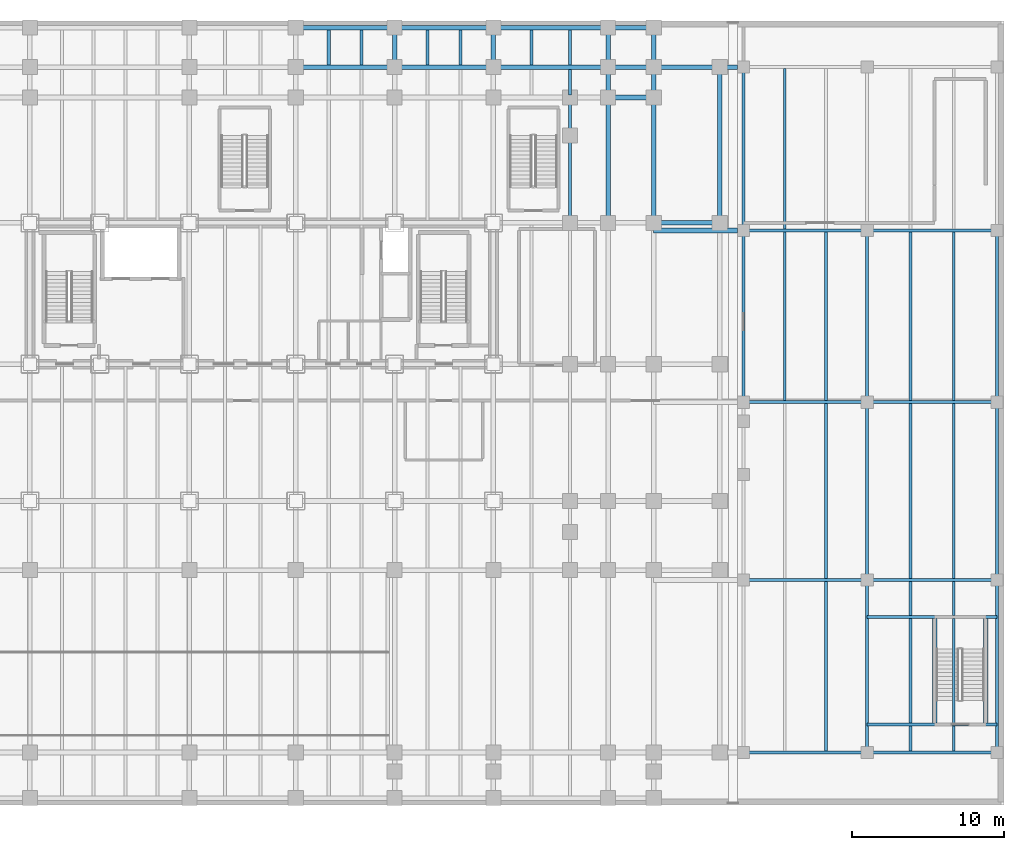
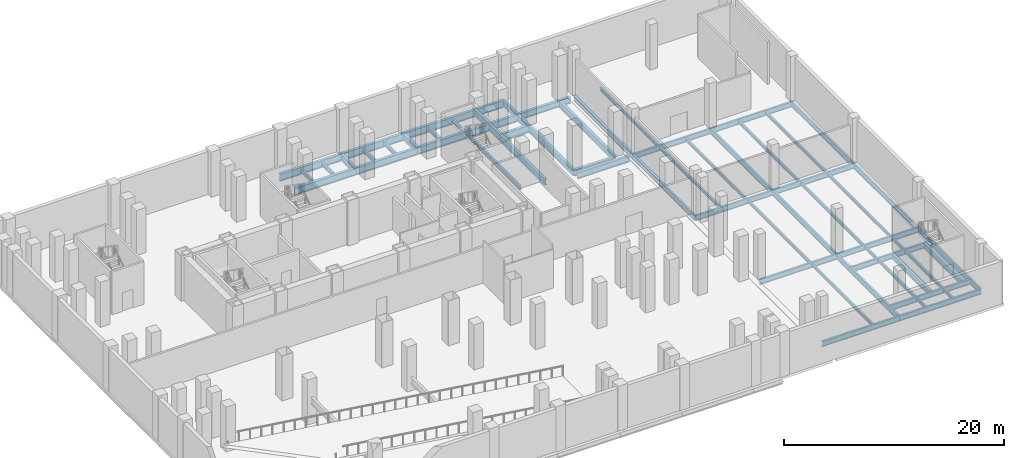
# One storey, part 6 of 18: 60 beams.
"""IFC4 building model written with IfcOpenShell, lengths in metres."""

from ifc_helpers import new_model, si_unit, direction, frame, origin, origin_2d, place, context, subcontext, project, spatial, i_section, extrude, material, material_profile, profile_set, type_object, element, save


model = new_model("IFC4")

# Units and contexts
model_context = context("Model", 3, precision=1e-05, world=origin(), true_north=direction((0.0, 1.0)))
body_context = subcontext(model_context, "Body", "Model", "MODEL_VIEW")
ifc_project = project(units=[si_unit("LENGTHUNIT", "METRE"), si_unit("AREAUNIT", "SQUARE_METRE"), si_unit("VOLUMEUNIT", "CUBIC_METRE"), si_unit("PLANEANGLEUNIT", "RADIAN"), si_unit("MASSUNIT", "GRAM", prefix="KILO")], contexts=[model_context])

# Site, building, storey
site_placement = place(None, origin())
site = spatial("IfcSite", under=ifc_project, at=site_placement, CompositionType="ELEMENT")
building_placement = place(site_placement, origin())
building = spatial("IfcBuilding", under=site, at=building_placement, Name="Noeulbin Bourse Tower", CompositionType="ELEMENT")
storey_placement = place(building_placement, frame((0.0, 0.0, -5.0)))
storey = spatial("IfcBuildingStorey", under=building, at=storey_placement, Name="B01", CompositionType="ELEMENT", Elevation=-5.0)

# Beams
ifc_material = material(Name="Steel S355", Category="steel")
ifc_material_profile_1 = material_profile(ifc_material, i_section(OverallWidth=0.300048828125, OverallDepth=0.587890625, WebThickness=0.011962890625, FlangeThickness=0.02001953125, FilletRadius=0.02392578125, at=origin_2d()), Name="H-588x300x12x20", Category="LoadBearing")
ifc_profile_set_1 = profile_set([ifc_material_profile_1], Name="Steel S355")
beam_type_1 = type_object("IfcBeamType", Name="BM-GRD-588", PredefinedType="USERDEFINED", material=ifc_profile_set_1)
for number, where, z_axis, x_axis, name in (
    (1, (73.0400390625, 5.300048828125, -0.573974609375), (0.0, 1.0, 0.0), (-1.0, 0.0, 0.0), "Stair Shaft Tie Beam MST1-X1"),
    (2, (76.39990234375, 5.300048828125, -0.573974609375), (0.0, 1.0, 0.0), (-1.0, 0.0, 0.0), "Stair Shaft Tie Beam MST1-X2"),
):
    element("IfcBeam", number, at=place(storey_placement, frame(where, z_axis=z_axis, x_axis=x_axis)), inside=storey, type_object=beam_type_1, Name=name, ObjectType="GIRDER", PredefinedType="USERDEFINED", context=body_context, shape_type="SweptSolid", body=[
        extrude(i_section(OverallWidth=0.300048828125, OverallDepth=0.587890625, WebThickness=0.011962890625, FlangeThickness=0.02001953125, FilletRadius=0.02392578125, at=origin_2d()), origin(), (0.0, 0.0, 1.0), 7.06005859375),
    ])
ifc_material_profile_2 = material_profile(ifc_material, i_section(OverallWidth=0.199951171875, OverallDepth=0.60009765625, WebThickness=0.010986328125, FlangeThickness=0.01708984375, FilletRadius=0.02197265625, at=origin_2d()), Name="H-600x200x11x17", Category="LoadBearing")
ifc_profile_set_2 = profile_set([ifc_material_profile_2], Name="Steel S355")
beam_type_2 = type_object("IfcBeamType", Name="BM-GRD-600", PredefinedType="USERDEFINED", material=ifc_profile_set_2)
beam_1_placement = place(storey_placement, frame((60.449951171875, 3.449951171875, -0.580078125), z_axis=(1.0, 0.0, 0.0), x_axis=(0.0, 1.0, 0.0)))
element("IfcBeam", 3, at=beam_1_placement, inside=storey, type_object=beam_type_2, Name="Market Hall Girder EW B01-01", ObjectType="GIRDER", PredefinedType="USERDEFINED", context=body_context, shape_type="SweptSolid", body=[
    extrude(i_section(OverallWidth=0.199951171875, OverallDepth=0.60009765625, WebThickness=0.010986328125, FlangeThickness=0.01708984375, FilletRadius=0.02197265625, at=origin_2d()), origin(), (0.0, 0.0, 1.0), 8.150146484375),
])
beam_2_placement = place(storey_placement, frame((68.60009765625, 3.449951171875, -0.580078125), z_axis=(1.0, 0.0, 0.0), x_axis=(0.0, 1.0, 0.0)))
element("IfcBeam", 4, at=beam_2_placement, inside=storey, type_object=beam_type_2, Name="Market Hall Girder EW B01-02", ObjectType="GIRDER", PredefinedType="USERDEFINED", context=body_context, shape_type="SweptSolid", body=[
    extrude(i_section(OverallWidth=0.199951171875, OverallDepth=0.60009765625, WebThickness=0.010986328125, FlangeThickness=0.01708984375, FilletRadius=0.02197265625, at=origin_2d()), origin(), (0.0, 0.0, 1.0), 8.5498046875),
])
beam_3_placement = place(storey_placement, frame((60.449951171875, 14.800048828125, -0.580078125), z_axis=(1.0, 0.0, 0.0), x_axis=(0.0, 1.0, 0.0)))
element("IfcBeam", 5, at=beam_3_placement, inside=storey, type_object=beam_type_2, Name="Market Hall Girder EW B01-03", ObjectType="GIRDER", PredefinedType="USERDEFINED", context=body_context, shape_type="SweptSolid", body=[
    extrude(i_section(OverallWidth=0.199951171875, OverallDepth=0.60009765625, WebThickness=0.010986328125, FlangeThickness=0.01708984375, FilletRadius=0.02197265625, at=origin_2d()), origin(), (0.0, 0.0, 1.0), 8.150146484375),
])
beam_4_placement = place(storey_placement, frame((68.60009765625, 14.800048828125, -0.580078125), z_axis=(1.0, 0.0, 0.0), x_axis=(0.0, 1.0, 0.0)))
element("IfcBeam", 6, at=beam_4_placement, inside=storey, type_object=beam_type_2, Name="Market Hall Girder EW B01-04", ObjectType="GIRDER", PredefinedType="USERDEFINED", context=body_context, shape_type="SweptSolid", body=[
    extrude(i_section(OverallWidth=0.199951171875, OverallDepth=0.60009765625, WebThickness=0.010986328125, FlangeThickness=0.01708984375, FilletRadius=0.02197265625, at=origin_2d()), origin(), (0.0, 0.0, 1.0), 8.5498046875),
])
beam_5_placement = place(storey_placement, frame((60.449951171875, 26.5, -0.580078125), z_axis=(1.0, 0.0, 0.0), x_axis=(0.0, 1.0, 0.0)))
element("IfcBeam", 7, at=beam_5_placement, inside=storey, type_object=beam_type_2, Name="Market Hall Girder EW B01-05", ObjectType="GIRDER", PredefinedType="USERDEFINED", context=body_context, shape_type="SweptSolid", body=[
    extrude(i_section(OverallWidth=0.199951171875, OverallDepth=0.60009765625, WebThickness=0.010986328125, FlangeThickness=0.01708984375, FilletRadius=0.02197265625, at=origin_2d()), origin(), (0.0, 0.0, 1.0), 8.150146484375),
])
beam_6_placement = place(storey_placement, frame((68.60009765625, 26.5, -0.580078125), z_axis=(1.0, 0.0, 0.0), x_axis=(0.0, 1.0, 0.0)))
element("IfcBeam", 8, at=beam_6_placement, inside=storey, type_object=beam_type_2, Name="Market Hall Girder EW B01-06", ObjectType="GIRDER", PredefinedType="USERDEFINED", context=body_context, shape_type="SweptSolid", body=[
    extrude(i_section(OverallWidth=0.199951171875, OverallDepth=0.60009765625, WebThickness=0.010986328125, FlangeThickness=0.01708984375, FilletRadius=0.02197265625, at=origin_2d()), origin(), (0.0, 0.0, 1.0), 8.5498046875),
])
beam_7_placement = place(storey_placement, frame((60.449951171875, 37.800048828125, -0.580078125), z_axis=(1.0, 0.0, 0.0), x_axis=(0.0, 1.0, 0.0)))
element("IfcBeam", 9, at=beam_7_placement, inside=storey, type_object=beam_type_2, Name="Market Hall Girder EW B01-07", ObjectType="GIRDER", PredefinedType="USERDEFINED", context=body_context, shape_type="SweptSolid", body=[
    extrude(i_section(OverallWidth=0.199951171875, OverallDepth=0.60009765625, WebThickness=0.010986328125, FlangeThickness=0.01708984375, FilletRadius=0.02197265625, at=origin_2d()), origin(), (0.0, 0.0, 1.0), 8.150146484375),
])
beam_8_placement = place(storey_placement, frame((68.60009765625, 37.800048828125, -0.580078125), z_axis=(1.0, 0.0, 0.0), x_axis=(0.0, 1.0, 0.0)))
element("IfcBeam", 10, at=beam_8_placement, inside=storey, type_object=beam_type_2, Name="Market Hall Girder EW B01-08", ObjectType="GIRDER", PredefinedType="USERDEFINED", context=body_context, shape_type="SweptSolid", body=[
    extrude(i_section(OverallWidth=0.199951171875, OverallDepth=0.60009765625, WebThickness=0.010986328125, FlangeThickness=0.01708984375, FilletRadius=0.02197265625, at=origin_2d()), origin(), (0.0, 0.0, 1.0), 8.5498046875),
])
beam_9_placement = place(storey_placement, frame((60.449951171875, 26.5, -0.580078125), z_axis=(0.0, 1.0, 0.0), x_axis=(-1.0, 0.0, 0.0)))
element("IfcBeam", 11, at=beam_9_placement, inside=storey, type_object=beam_type_2, Name="Market Hall Girder NS B01-13", ObjectType="GIRDER", PredefinedType="USERDEFINED", context=body_context, shape_type="SweptSolid", body=[
    extrude(i_section(OverallWidth=0.199951171875, OverallDepth=0.60009765625, WebThickness=0.010986328125, FlangeThickness=0.01708984375, FilletRadius=0.02197265625, at=origin_2d()), origin(), (0.0, 0.0, 1.0), 11.300048828125),
])
beam_10_placement = place(storey_placement, frame((60.449951171875, 37.800048828125, -0.580078125), z_axis=(0.0, 1.0, 0.0), x_axis=(-1.0, 0.0, 0.0)))
element("IfcBeam", 12, at=beam_10_placement, inside=storey, type_object=beam_type_2, Name="Market Hall Girder NS B01-14", ObjectType="GIRDER", PredefinedType="USERDEFINED", context=body_context, shape_type="SweptSolid", body=[
    extrude(i_section(OverallWidth=0.199951171875, OverallDepth=0.60009765625, WebThickness=0.010986328125, FlangeThickness=0.01708984375, FilletRadius=0.02197265625, at=origin_2d()), origin(), (0.0, 0.0, 1.0), 10.75),
])
beam_11_placement = place(storey_placement, frame((68.60009765625, 3.449951171875, -0.580078125), z_axis=(0.0, 1.0, 0.0), x_axis=(-1.0, 0.0, 0.0)))
element("IfcBeam", 13, at=beam_11_placement, inside=storey, type_object=beam_type_2, Name="Market Hall Girder NS B01-15", ObjectType="GIRDER", PredefinedType="USERDEFINED", context=body_context, shape_type="SweptSolid", body=[
    extrude(i_section(OverallWidth=0.199951171875, OverallDepth=0.60009765625, WebThickness=0.010986328125, FlangeThickness=0.01708984375, FilletRadius=0.02197265625, at=origin_2d()), origin(), (0.0, 0.0, 1.0), 11.35009765625),
])
beam_12_placement = place(storey_placement, frame((68.60009765625, 14.800048828125, -0.580078125), z_axis=(0.0, 1.0, 0.0), x_axis=(-1.0, 0.0, 0.0)))
element("IfcBeam", 14, at=beam_12_placement, inside=storey, type_object=beam_type_2, Name="Market Hall Girder NS B01-16", ObjectType="GIRDER", PredefinedType="USERDEFINED", context=body_context, shape_type="SweptSolid", body=[
    extrude(i_section(OverallWidth=0.199951171875, OverallDepth=0.60009765625, WebThickness=0.010986328125, FlangeThickness=0.01708984375, FilletRadius=0.02197265625, at=origin_2d()), origin(), (0.0, 0.0, 1.0), 11.699951171875),
])
beam_13_placement = place(storey_placement, frame((68.60009765625, 26.5, -0.580078125), z_axis=(0.0, 1.0, 0.0), x_axis=(-1.0, 0.0, 0.0)))
element("IfcBeam", 15, at=beam_13_placement, inside=storey, type_object=beam_type_2, Name="Market Hall Girder NS B01-17", ObjectType="GIRDER", PredefinedType="USERDEFINED", context=body_context, shape_type="SweptSolid", body=[
    extrude(i_section(OverallWidth=0.199951171875, OverallDepth=0.60009765625, WebThickness=0.010986328125, FlangeThickness=0.01708984375, FilletRadius=0.02197265625, at=origin_2d()), origin(), (0.0, 0.0, 1.0), 11.300048828125),
])
beam_14_placement = place(storey_placement, frame((77.14990234375, 3.449951171875, -0.580078125), z_axis=(0.0, 1.0, 0.0), x_axis=(-1.0, 0.0, 0.0)))
element("IfcBeam", 16, at=beam_14_placement, inside=storey, type_object=beam_type_2, Name="Market Hall Girder NS B01-19", ObjectType="GIRDER", PredefinedType="USERDEFINED", context=body_context, shape_type="SweptSolid", body=[
    extrude(i_section(OverallWidth=0.199951171875, OverallDepth=0.60009765625, WebThickness=0.010986328125, FlangeThickness=0.01708984375, FilletRadius=0.02197265625, at=origin_2d()), origin(), (0.0, 0.0, 1.0), 11.35009765625),
])
beam_15_placement = place(storey_placement, frame((77.14990234375, 14.800048828125, -0.580078125), z_axis=(0.0, 1.0, 0.0), x_axis=(-1.0, 0.0, 0.0)))
element("IfcBeam", 17, at=beam_15_placement, inside=storey, type_object=beam_type_2, Name="Market Hall Girder NS B01-20", ObjectType="GIRDER", PredefinedType="USERDEFINED", context=body_context, shape_type="SweptSolid", body=[
    extrude(i_section(OverallWidth=0.199951171875, OverallDepth=0.60009765625, WebThickness=0.010986328125, FlangeThickness=0.01708984375, FilletRadius=0.02197265625, at=origin_2d()), origin(), (0.0, 0.0, 1.0), 11.699951171875),
])
beam_16_placement = place(storey_placement, frame((77.14990234375, 26.5, -0.580078125), z_axis=(0.0, 1.0, 0.0), x_axis=(-1.0, 0.0, 0.0)))
element("IfcBeam", 18, at=beam_16_placement, inside=storey, type_object=beam_type_2, Name="Market Hall Girder NS B01-21", ObjectType="GIRDER", PredefinedType="USERDEFINED", context=body_context, shape_type="SweptSolid", body=[
    extrude(i_section(OverallWidth=0.199951171875, OverallDepth=0.60009765625, WebThickness=0.010986328125, FlangeThickness=0.01708984375, FilletRadius=0.02197265625, at=origin_2d()), origin(), (0.0, 0.0, 1.0), 11.300048828125),
])
for number, where, z_axis, x_axis, name in (
    (19, (68.60009765625, 5.300048828125, -0.580078125), (1.0, 0.0, 0.0), (0.0, 1.0, 0.0), "Stair Shaft Support Girder MST1-Y1"),
    (20, (68.60009765625, 12.360107421875, -0.580078125), (1.0, 0.0, 0.0), (0.0, 1.0, 0.0), "Stair Shaft Support Girder MST1-Y2"),
):
    element("IfcBeam", number, at=place(storey_placement, frame(where, z_axis=z_axis, x_axis=x_axis)), inside=storey, type_object=beam_type_2, Name=name, ObjectType="GIRDER", PredefinedType="USERDEFINED", context=body_context, shape_type="SweptSolid", body=[
        extrude(i_section(OverallWidth=0.199951171875, OverallDepth=0.60009765625, WebThickness=0.010986328125, FlangeThickness=0.01708984375, FilletRadius=0.02197265625, at=origin_2d()), origin(), (0.0, 0.0, 1.0), 8.5498046875),
    ])
ifc_material_profile_3 = material_profile(ifc_material, i_section(OverallWidth=0.300048828125, OverallDepth=0.699951171875, WebThickness=0.012939453125, FlangeThickness=0.02392578125, FilletRadius=0.02392578125, at=origin_2d()), Name="H-700x300x13x24", Category="LoadBearing")
ifc_profile_set_3 = profile_set([ifc_material_profile_3], Name="Steel S355")
beam_type_3 = type_object("IfcBeamType", Name="BM-GRD-700", PredefinedType="USERDEFINED", material=ifc_profile_set_3)
for number, where, z_axis, x_axis, name in (
    (21, (37.5, 48.550048828125, -0.6298828125), (0.0, 1.0, 0.0), (-1.0, 0.0, 0.0), "Podium Primary Girder NS B01-119"),
    (22, (44.0, 48.550048828125, -0.6298828125), (0.0, 1.0, 0.0), (-1.0, 0.0, 0.0), "Podium Primary Girder NS B01-127"),
):
    element("IfcBeam", number, at=place(storey_placement, frame(where, z_axis=z_axis, x_axis=x_axis)), inside=storey, type_object=beam_type_3, Name=name, ObjectType="GIRDER", PredefinedType="USERDEFINED", context=body_context, shape_type="SweptSolid", body=[
        extrude(i_section(OverallWidth=0.300048828125, OverallDepth=0.699951171875, WebThickness=0.012939453125, FlangeThickness=0.02392578125, FilletRadius=0.02392578125, at=origin_2d()), origin(), (0.0, 0.0, 1.0), 2.599853515625),
    ])
beam_17_placement = place(storey_placement, frame((51.550048828125, 38.300048828125, -0.6298828125), z_axis=(0.0, 1.0, 0.0), x_axis=(-1.0, 0.0, 0.0)))
element("IfcBeam", 23, at=beam_17_placement, inside=storey, type_object=beam_type_3, Name="Podium Primary Girder NS B01-133", ObjectType="GIRDER", PredefinedType="USERDEFINED", context=body_context, shape_type="SweptSolid", body=[
    extrude(i_section(OverallWidth=0.300048828125, OverallDepth=0.699951171875, WebThickness=0.012939453125, FlangeThickness=0.02392578125, FilletRadius=0.02392578125, at=origin_2d()), origin(), (0.0, 0.0, 1.0), 8.25),
])
beam_18_placement = place(storey_placement, frame((51.550048828125, 46.550048828125, -0.6298828125), z_axis=(0.0, 1.0, 0.0), x_axis=(-1.0, 0.0, 0.0)))
element("IfcBeam", 24, at=beam_18_placement, inside=storey, type_object=beam_type_3, Name="Podium Primary Girder NS B01-134", ObjectType="GIRDER", PredefinedType="USERDEFINED", context=body_context, shape_type="SweptSolid", body=[
    extrude(i_section(OverallWidth=0.300048828125, OverallDepth=0.699951171875, WebThickness=0.012939453125, FlangeThickness=0.02392578125, FilletRadius=0.02392578125, at=origin_2d()), origin(), (0.0, 0.0, 1.0), 2.0),
])
beam_19_placement = place(storey_placement, frame((51.550048828125, 48.550048828125, -0.6298828125), z_axis=(0.0, 1.0, 0.0), x_axis=(-1.0, 0.0, 0.0)))
element("IfcBeam", 25, at=beam_19_placement, inside=storey, type_object=beam_type_3, Name="Podium Primary Girder NS B01-135", ObjectType="GIRDER", PredefinedType="USERDEFINED", context=body_context, shape_type="SweptSolid", body=[
    extrude(i_section(OverallWidth=0.300048828125, OverallDepth=0.699951171875, WebThickness=0.012939453125, FlangeThickness=0.02392578125, FilletRadius=0.02392578125, at=origin_2d()), origin(), (0.0, 0.0, 1.0), 2.599853515625),
])
beam_20_placement = place(storey_placement, frame((54.550048828125, 38.300048828125, -0.6298828125), z_axis=(0.0, 1.0, 0.0), x_axis=(-1.0, 0.0, 0.0)))
element("IfcBeam", 26, at=beam_20_placement, inside=storey, type_object=beam_type_3, Name="Podium Primary Girder NS B01-141", ObjectType="GIRDER", PredefinedType="USERDEFINED", context=body_context, shape_type="SweptSolid", body=[
    extrude(i_section(OverallWidth=0.300048828125, OverallDepth=0.699951171875, WebThickness=0.012939453125, FlangeThickness=0.02392578125, FilletRadius=0.02392578125, at=origin_2d()), origin(), (0.0, 0.0, 1.0), 8.25),
])
beam_21_placement = place(storey_placement, frame((54.550048828125, 46.550048828125, -0.6298828125), z_axis=(0.0, 1.0, 0.0), x_axis=(-1.0, 0.0, 0.0)))
element("IfcBeam", 27, at=beam_21_placement, inside=storey, type_object=beam_type_3, Name="Podium Primary Girder NS B01-142", ObjectType="GIRDER", PredefinedType="USERDEFINED", context=body_context, shape_type="SweptSolid", body=[
    extrude(i_section(OverallWidth=0.300048828125, OverallDepth=0.699951171875, WebThickness=0.012939453125, FlangeThickness=0.02392578125, FilletRadius=0.02392578125, at=origin_2d()), origin(), (0.0, 0.0, 1.0), 2.0),
])
beam_22_placement = place(storey_placement, frame((54.550048828125, 48.550048828125, -0.6298828125), z_axis=(0.0, 1.0, 0.0), x_axis=(-1.0, 0.0, 0.0)))
element("IfcBeam", 28, at=beam_22_placement, inside=storey, type_object=beam_type_3, Name="Podium Primary Girder NS B01-143", ObjectType="GIRDER", PredefinedType="USERDEFINED", context=body_context, shape_type="SweptSolid", body=[
    extrude(i_section(OverallWidth=0.300048828125, OverallDepth=0.699951171875, WebThickness=0.012939453125, FlangeThickness=0.02392578125, FilletRadius=0.02392578125, at=origin_2d()), origin(), (0.0, 0.0, 1.0), 2.599853515625),
])
for number, where, z_axis, x_axis, name in (
    (29, (54.550048828125, 37.800048828125, -0.6298828125), (1.0, 0.0, 0.0), (0.0, 1.0, 0.0), "Concourse Slot Girder B01-04"),
    (30, (54.550048828125, 48.550048828125, -0.6298828125), (1.0, 0.0, 0.0), (0.0, 1.0, 0.0), "Concourse Slot Girder B01-05"),
):
    element("IfcBeam", number, at=place(storey_placement, frame(where, z_axis=z_axis, x_axis=x_axis)), inside=storey, type_object=beam_type_3, Name=name, ObjectType="GIRDER", PredefinedType="USERDEFINED", context=body_context, shape_type="SweptSolid", body=[
        extrude(i_section(OverallWidth=0.300048828125, OverallDepth=0.699951171875, WebThickness=0.012939453125, FlangeThickness=0.02392578125, FilletRadius=0.02392578125, at=origin_2d()), origin(), (0.0, 0.0, 1.0), 5.5),
    ])
beam_23_placement = place(storey_placement, frame((54.550048828125, 38.300048828125, -0.6298828125), z_axis=(1.0, 0.0, 0.0), x_axis=(0.0, 1.0, 0.0)))
element("IfcBeam", 31, at=beam_23_placement, inside=storey, type_object=beam_type_3, Name="BM-B01-JNT-EW-5", ObjectType="GIRDER", PredefinedType="USERDEFINED", context=body_context, shape_type="SweptSolid", body=[
    extrude(i_section(OverallWidth=0.300048828125, OverallDepth=0.699951171875, WebThickness=0.012939453125, FlangeThickness=0.02392578125, FilletRadius=0.02392578125, at=origin_2d()), origin(), (0.0, 0.0, 1.0), 4.349853515625),
])
beam_24_placement = place(storey_placement, frame((58.89990234375, 38.300048828125, -0.6298828125), z_axis=(0.0, 1.0, 0.0), x_axis=(-1.0, 0.0, 0.0)))
element("IfcBeam", 32, at=beam_24_placement, inside=storey, type_object=beam_type_3, Name="BM-B01-JNT-NS-5", ObjectType="GIRDER", PredefinedType="USERDEFINED", context=body_context, shape_type="SweptSolid", body=[
    extrude(i_section(OverallWidth=0.300048828125, OverallDepth=0.699951171875, WebThickness=0.012939453125, FlangeThickness=0.02392578125, FilletRadius=0.02392578125, at=origin_2d()), origin(), (0.0, 0.0, 1.0), 10.25),
])
ifc_material_profile_4 = material_profile(ifc_material, i_section(OverallWidth=0.300048828125, OverallDepth=0.800048828125, WebThickness=0.013916015625, FlangeThickness=0.02587890625, FilletRadius=0.02587890625, at=origin_2d()), Name="H-800x300x14x26", Category="LoadBearing")
ifc_profile_set_4 = profile_set([ifc_material_profile_4], Name="Steel S355")
beam_type_4 = type_object("IfcBeamType", Name="BM-GRD-800", PredefinedType="USERDEFINED", material=ifc_profile_set_4)
beam_25_placement = place(storey_placement, frame((51.550048828125, 46.550048828125, -0.679931640625), z_axis=(1.0, 0.0, 0.0), x_axis=(0.0, 1.0, 0.0)))
element("IfcBeam", 33, at=beam_25_placement, inside=storey, type_object=beam_type_4, Name="Podium Primary Girder EW B01-056", ObjectType="GIRDER", PredefinedType="USERDEFINED", context=body_context, shape_type="SweptSolid", body=[
    extrude(i_section(OverallWidth=0.300048828125, OverallDepth=0.800048828125, WebThickness=0.013916015625, FlangeThickness=0.02587890625, FilletRadius=0.02587890625, at=origin_2d()), origin(), (0.0, 0.0, 1.0), 3.0),
])
for number, where, z_axis, x_axis, name in (
    (34, (31.0, 48.550048828125, -0.679931640625), (1.0, 0.0, 0.0), (0.0, 1.0, 0.0), "Podium Primary Girder EW B01-061"),
    (35, (37.5, 48.550048828125, -0.679931640625), (1.0, 0.0, 0.0), (0.0, 1.0, 0.0), "Podium Primary Girder EW B01-062"),
):
    element("IfcBeam", number, at=place(storey_placement, frame(where, z_axis=z_axis, x_axis=x_axis)), inside=storey, type_object=beam_type_4, Name=name, ObjectType="GIRDER", PredefinedType="USERDEFINED", context=body_context, shape_type="SweptSolid", body=[
        extrude(i_section(OverallWidth=0.300048828125, OverallDepth=0.800048828125, WebThickness=0.013916015625, FlangeThickness=0.02587890625, FilletRadius=0.02587890625, at=origin_2d()), origin(), (0.0, 0.0, 1.0), 6.5),
    ])
beam_26_placement = place(storey_placement, frame((44.0, 48.550048828125, -0.679931640625), z_axis=(1.0, 0.0, 0.0), x_axis=(0.0, 1.0, 0.0)))
element("IfcBeam", 36, at=beam_26_placement, inside=storey, type_object=beam_type_4, Name="Podium Primary Girder EW B01-063", ObjectType="GIRDER", PredefinedType="USERDEFINED", context=body_context, shape_type="SweptSolid", body=[
    extrude(i_section(OverallWidth=0.300048828125, OverallDepth=0.800048828125, WebThickness=0.013916015625, FlangeThickness=0.02587890625, FilletRadius=0.02587890625, at=origin_2d()), origin(), (0.0, 0.0, 1.0), 7.550048828125),
])
beam_27_placement = place(storey_placement, frame((51.550048828125, 48.550048828125, -0.679931640625), z_axis=(1.0, 0.0, 0.0), x_axis=(0.0, 1.0, 0.0)))
element("IfcBeam", 37, at=beam_27_placement, inside=storey, type_object=beam_type_4, Name="Podium Primary Girder EW B01-064", ObjectType="GIRDER", PredefinedType="USERDEFINED", context=body_context, shape_type="SweptSolid", body=[
    extrude(i_section(OverallWidth=0.300048828125, OverallDepth=0.800048828125, WebThickness=0.013916015625, FlangeThickness=0.02587890625, FilletRadius=0.02587890625, at=origin_2d()), origin(), (0.0, 0.0, 1.0), 3.0),
])
for number, where, z_axis, x_axis, name in (
    (38, (31.0, 51.14990234375, -0.679931640625), (1.0, 0.0, 0.0), (0.0, 1.0, 0.0), "Podium Primary Girder EW B01-069"),
    (39, (37.5, 51.14990234375, -0.679931640625), (1.0, 0.0, 0.0), (0.0, 1.0, 0.0), "Podium Primary Girder EW B01-070"),
):
    element("IfcBeam", number, at=place(storey_placement, frame(where, z_axis=z_axis, x_axis=x_axis)), inside=storey, type_object=beam_type_4, Name=name, ObjectType="GIRDER", PredefinedType="USERDEFINED", context=body_context, shape_type="SweptSolid", body=[
        extrude(i_section(OverallWidth=0.300048828125, OverallDepth=0.800048828125, WebThickness=0.013916015625, FlangeThickness=0.02587890625, FilletRadius=0.02587890625, at=origin_2d()), origin(), (0.0, 0.0, 1.0), 6.5),
    ])
beam_28_placement = place(storey_placement, frame((44.0, 51.14990234375, -0.679931640625), z_axis=(1.0, 0.0, 0.0), x_axis=(0.0, 1.0, 0.0)))
element("IfcBeam", 40, at=beam_28_placement, inside=storey, type_object=beam_type_4, Name="Podium Primary Girder EW B01-071", ObjectType="GIRDER", PredefinedType="USERDEFINED", context=body_context, shape_type="SweptSolid", body=[
    extrude(i_section(OverallWidth=0.300048828125, OverallDepth=0.800048828125, WebThickness=0.013916015625, FlangeThickness=0.02587890625, FilletRadius=0.02587890625, at=origin_2d()), origin(), (0.0, 0.0, 1.0), 7.550048828125),
])
beam_29_placement = place(storey_placement, frame((51.550048828125, 51.14990234375, -0.679931640625), z_axis=(1.0, 0.0, 0.0), x_axis=(0.0, 1.0, 0.0)))
element("IfcBeam", 41, at=beam_29_placement, inside=storey, type_object=beam_type_4, Name="Podium Primary Girder EW B01-072", ObjectType="GIRDER", PredefinedType="USERDEFINED", context=body_context, shape_type="SweptSolid", body=[
    extrude(i_section(OverallWidth=0.300048828125, OverallDepth=0.800048828125, WebThickness=0.013916015625, FlangeThickness=0.02587890625, FilletRadius=0.02587890625, at=origin_2d()), origin(), (0.0, 0.0, 1.0), 3.0),
])
ifc_material_profile_5 = material_profile(ifc_material, i_section(OverallWidth=0.175048828125, OverallDepth=0.35009765625, WebThickness=0.007080078125, FlangeThickness=0.010986328125, FilletRadius=0.013916015625, at=origin_2d()), Name="H-350x175x7x11", Category="LoadBearing")
ifc_profile_set_5 = profile_set([ifc_material_profile_5], Name="Steel S355")
beam_type_5 = type_object("IfcBeamType", Name="BM-JST-350", PredefinedType="JOIST", material=ifc_profile_set_5)
beam_30_placement = place(storey_placement, frame((63.166748046875, 26.60009765625, -0.455078125), z_axis=(0.0, 1.0, 0.0), x_axis=(-1.0, 0.0, 0.0)))
element("IfcBeam", 42, at=beam_30_placement, inside=storey, type_object=beam_type_5, Name="Market Hall Secondary Joist B01-03", PredefinedType="JOIST", context=body_context, shape_type="SweptSolid", body=[
    extrude(i_section(OverallWidth=0.175048828125, OverallDepth=0.35009765625, WebThickness=0.007080078125, FlangeThickness=0.010986328125, FilletRadius=0.013916015625, at=origin_2d()), origin(), (0.0, 0.0, 1.0), 11.099853515625),
])
beam_31_placement = place(storey_placement, frame((63.166748046875, 37.89990234375, -0.455078125), z_axis=(0.0, 1.0, 0.0), x_axis=(-1.0, 0.0, 0.0)))
element("IfcBeam", 43, at=beam_31_placement, inside=storey, type_object=beam_type_5, Name="Market Hall Secondary Joist B01-04", PredefinedType="JOIST", context=body_context, shape_type="SweptSolid", body=[
    extrude(i_section(OverallWidth=0.175048828125, OverallDepth=0.35009765625, WebThickness=0.007080078125, FlangeThickness=0.010986328125, FilletRadius=0.013916015625, at=origin_2d()), origin(), (0.0, 0.0, 1.0), 10.550048828125),
])
beam_32_placement = place(storey_placement, frame((65.88330078125, 3.550048828125, -0.455078125), z_axis=(0.0, 1.0, 0.0), x_axis=(-1.0, 0.0, 0.0)))
element("IfcBeam", 44, at=beam_32_placement, inside=storey, type_object=beam_type_5, Name="Market Hall Secondary Joist B01-05", PredefinedType="JOIST", context=body_context, shape_type="SweptSolid", body=[
    extrude(i_section(OverallWidth=0.175048828125, OverallDepth=0.35009765625, WebThickness=0.007080078125, FlangeThickness=0.010986328125, FilletRadius=0.013916015625, at=origin_2d()), origin(), (0.0, 0.0, 1.0), 11.14990234375),
])
beam_33_placement = place(storey_placement, frame((65.88330078125, 14.89990234375, -0.455078125), z_axis=(0.0, 1.0, 0.0), x_axis=(-1.0, 0.0, 0.0)))
element("IfcBeam", 45, at=beam_33_placement, inside=storey, type_object=beam_type_5, Name="Market Hall Secondary Joist B01-06", PredefinedType="JOIST", context=body_context, shape_type="SweptSolid", body=[
    extrude(i_section(OverallWidth=0.175048828125, OverallDepth=0.35009765625, WebThickness=0.007080078125, FlangeThickness=0.010986328125, FilletRadius=0.013916015625, at=origin_2d()), origin(), (0.0, 0.0, 1.0), 11.5),
])
beam_34_placement = place(storey_placement, frame((65.88330078125, 26.60009765625, -0.455078125), z_axis=(0.0, 1.0, 0.0), x_axis=(-1.0, 0.0, 0.0)))
element("IfcBeam", 46, at=beam_34_placement, inside=storey, type_object=beam_type_5, Name="Market Hall Secondary Joist B01-07", PredefinedType="JOIST", context=body_context, shape_type="SweptSolid", body=[
    extrude(i_section(OverallWidth=0.175048828125, OverallDepth=0.35009765625, WebThickness=0.007080078125, FlangeThickness=0.010986328125, FilletRadius=0.013916015625, at=origin_2d()), origin(), (0.0, 0.0, 1.0), 11.099853515625),
])
beam_35_placement = place(storey_placement, frame((71.449951171875, 3.550048828125, -0.455078125), z_axis=(0.0, 1.0, 0.0), x_axis=(-1.0, 0.0, 0.0)))
element("IfcBeam", 47, at=beam_35_placement, inside=storey, type_object=beam_type_5, Name="Market Hall Secondary Joist B01-09", PredefinedType="JOIST", context=body_context, shape_type="SweptSolid", body=[
    extrude(i_section(OverallWidth=0.175048828125, OverallDepth=0.35009765625, WebThickness=0.007080078125, FlangeThickness=0.010986328125, FilletRadius=0.013916015625, at=origin_2d()), origin(), (0.0, 0.0, 1.0), 11.14990234375),
])
beam_36_placement = place(storey_placement, frame((71.449951171875, 14.89990234375, -0.455078125), z_axis=(0.0, 1.0, 0.0), x_axis=(-1.0, 0.0, 0.0)))
element("IfcBeam", 48, at=beam_36_placement, inside=storey, type_object=beam_type_5, Name="Market Hall Secondary Joist B01-10", PredefinedType="JOIST", context=body_context, shape_type="SweptSolid", body=[
    extrude(i_section(OverallWidth=0.175048828125, OverallDepth=0.35009765625, WebThickness=0.007080078125, FlangeThickness=0.010986328125, FilletRadius=0.013916015625, at=origin_2d()), origin(), (0.0, 0.0, 1.0), 11.5),
])
beam_37_placement = place(storey_placement, frame((71.449951171875, 26.60009765625, -0.455078125), z_axis=(0.0, 1.0, 0.0), x_axis=(-1.0, 0.0, 0.0)))
element("IfcBeam", 49, at=beam_37_placement, inside=storey, type_object=beam_type_5, Name="Market Hall Secondary Joist B01-11", PredefinedType="JOIST", context=body_context, shape_type="SweptSolid", body=[
    extrude(i_section(OverallWidth=0.175048828125, OverallDepth=0.35009765625, WebThickness=0.007080078125, FlangeThickness=0.010986328125, FilletRadius=0.013916015625, at=origin_2d()), origin(), (0.0, 0.0, 1.0), 11.099853515625),
])
beam_38_placement = place(storey_placement, frame((74.300048828125, 3.550048828125, -0.455078125), z_axis=(0.0, 1.0, 0.0), x_axis=(-1.0, 0.0, 0.0)))
element("IfcBeam", 50, at=beam_38_placement, inside=storey, type_object=beam_type_5, Name="Market Hall Secondary Joist B01-13", PredefinedType="JOIST", context=body_context, shape_type="SweptSolid", body=[
    extrude(i_section(OverallWidth=0.175048828125, OverallDepth=0.35009765625, WebThickness=0.007080078125, FlangeThickness=0.010986328125, FilletRadius=0.013916015625, at=origin_2d()), origin(), (0.0, 0.0, 1.0), 11.14990234375),
])
beam_39_placement = place(storey_placement, frame((74.300048828125, 14.89990234375, -0.455078125), z_axis=(0.0, 1.0, 0.0), x_axis=(-1.0, 0.0, 0.0)))
element("IfcBeam", 51, at=beam_39_placement, inside=storey, type_object=beam_type_5, Name="Market Hall Secondary Joist B01-14", PredefinedType="JOIST", context=body_context, shape_type="SweptSolid", body=[
    extrude(i_section(OverallWidth=0.175048828125, OverallDepth=0.35009765625, WebThickness=0.007080078125, FlangeThickness=0.010986328125, FilletRadius=0.013916015625, at=origin_2d()), origin(), (0.0, 0.0, 1.0), 11.5),
])
beam_40_placement = place(storey_placement, frame((74.300048828125, 26.60009765625, -0.455078125), z_axis=(0.0, 1.0, 0.0), x_axis=(-1.0, 0.0, 0.0)))
element("IfcBeam", 52, at=beam_40_placement, inside=storey, type_object=beam_type_5, Name="Market Hall Secondary Joist B01-15", PredefinedType="JOIST", context=body_context, shape_type="SweptSolid", body=[
    extrude(i_section(OverallWidth=0.175048828125, OverallDepth=0.35009765625, WebThickness=0.007080078125, FlangeThickness=0.010986328125, FilletRadius=0.013916015625, at=origin_2d()), origin(), (0.0, 0.0, 1.0), 11.099853515625),
])
ifc_material_profile_6 = material_profile(ifc_material, i_section(OverallWidth=0.199951171875, OverallDepth=0.449951171875, WebThickness=0.009033203125, FlangeThickness=0.013916015625, FilletRadius=0.01806640625, at=origin_2d()), Name="H-450x200x9x14", Category="LoadBearing")
ifc_profile_set_6 = profile_set([ifc_material_profile_6], Name="Steel S355")
beam_type_6 = type_object("IfcBeamType", Name="BM-SEC-450", PredefinedType="BEAM", material=ifc_profile_set_6)
for number, where, z_axis, x_axis, name in (
    (53, (33.166748046875, 48.699951171875, -0.5048828125), (0.0, 1.0, 0.0), (-1.0, 0.0, 0.0), "Podium Secondary Beam B01-080"),
    (54, (35.333251953125, 48.699951171875, -0.5048828125), (0.0, 1.0, 0.0), (-1.0, 0.0, 0.0), "Podium Secondary Beam B01-088"),
    (55, (39.666748046875, 48.699951171875, -0.5048828125), (0.0, 1.0, 0.0), (-1.0, 0.0, 0.0), "Podium Secondary Beam B01-095"),
    (56, (41.833251953125, 48.699951171875, -0.5048828125), (0.0, 1.0, 0.0), (-1.0, 0.0, 0.0), "Podium Secondary Beam B01-102"),
    (57, (46.5166015625, 48.699951171875, -0.5048828125), (0.0, 1.0, 0.0), (-1.0, 0.0, 0.0), "Podium Secondary Beam B01-109"),
):
    element("IfcBeam", number, at=place(storey_placement, frame(where, z_axis=z_axis, x_axis=x_axis)), inside=storey, type_object=beam_type_6, Name=name, PredefinedType="BEAM", context=body_context, shape_type="SweptSolid", body=[
        extrude(i_section(OverallWidth=0.199951171875, OverallDepth=0.449951171875, WebThickness=0.009033203125, FlangeThickness=0.013916015625, FilletRadius=0.01806640625, at=origin_2d()), origin(), (0.0, 0.0, 1.0), 2.300048828125),
    ])
beam_41_placement = place(storey_placement, frame((49.033203125, 38.449951171875, -0.5048828125), z_axis=(0.0, 1.0, 0.0), x_axis=(-1.0, 0.0, 0.0)))
element("IfcBeam", 58, at=beam_41_placement, inside=storey, type_object=beam_type_6, Name="Podium Secondary Beam B01-115", PredefinedType="BEAM", context=body_context, shape_type="SweptSolid", body=[
    extrude(i_section(OverallWidth=0.199951171875, OverallDepth=0.449951171875, WebThickness=0.009033203125, FlangeThickness=0.013916015625, FilletRadius=0.01806640625, at=origin_2d()), origin(), (0.0, 0.0, 1.0), 7.949951171875),
])
beam_42_placement = place(storey_placement, frame((49.033203125, 46.699951171875, -0.5048828125), z_axis=(0.0, 1.0, 0.0), x_axis=(-1.0, 0.0, 0.0)))
element("IfcBeam", 59, at=beam_42_placement, inside=storey, type_object=beam_type_6, Name="Podium Secondary Beam B01-116", PredefinedType="BEAM", context=body_context, shape_type="SweptSolid", body=[
    extrude(i_section(OverallWidth=0.199951171875, OverallDepth=0.449951171875, WebThickness=0.009033203125, FlangeThickness=0.013916015625, FilletRadius=0.01806640625, at=origin_2d()), origin(), (0.0, 0.0, 1.0), 1.699951171875),
])
beam_43_placement = place(storey_placement, frame((49.033203125, 48.699951171875, -0.5048828125), z_axis=(0.0, 1.0, 0.0), x_axis=(-1.0, 0.0, 0.0)))
element("IfcBeam", 60, at=beam_43_placement, inside=storey, type_object=beam_type_6, Name="Podium Secondary Beam B01-117", PredefinedType="BEAM", context=body_context, shape_type="SweptSolid", body=[
    extrude(i_section(OverallWidth=0.199951171875, OverallDepth=0.449951171875, WebThickness=0.009033203125, FlangeThickness=0.013916015625, FilletRadius=0.01806640625, at=origin_2d()), origin(), (0.0, 0.0, 1.0), 2.300048828125),
])

save(model, "model.ifc")
